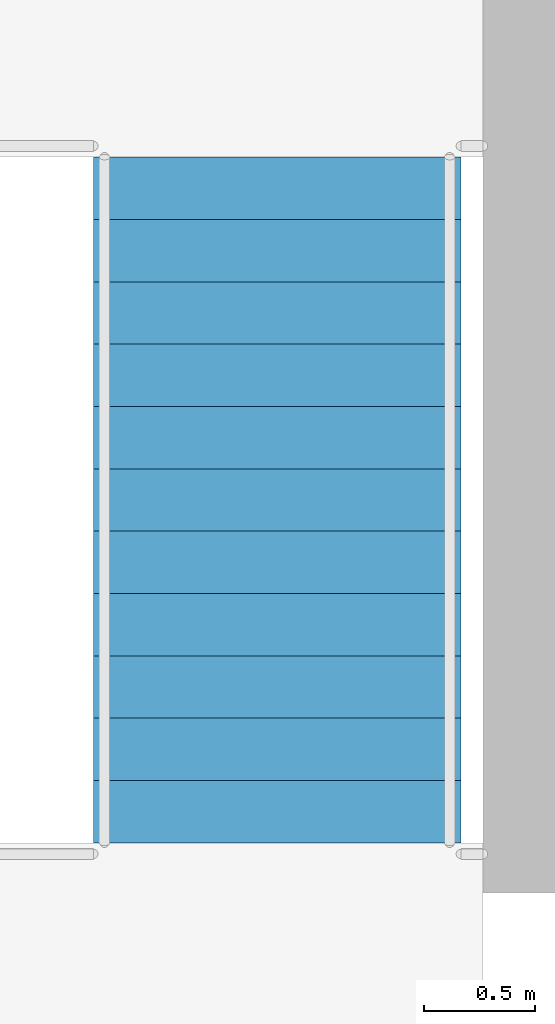
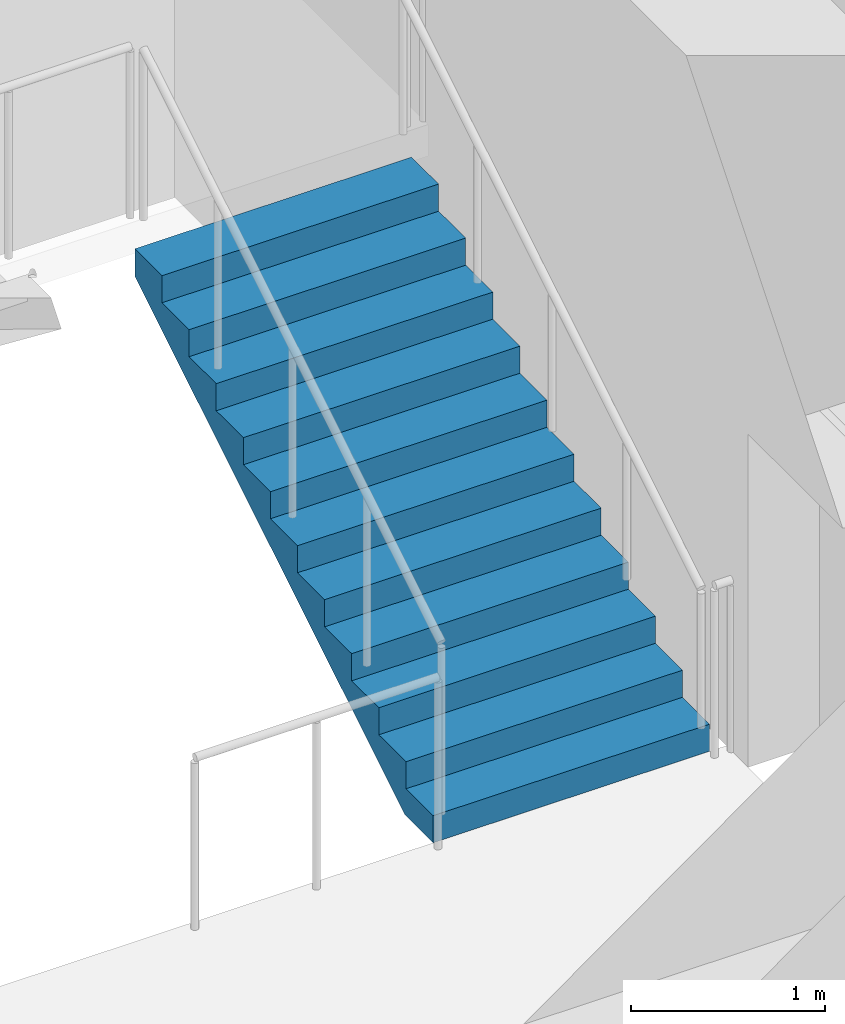
# One storey, part 9 of 19: 1 stair flight, 1 element without a shape of its own.
"""IFC4 building model written with IfcOpenShell, lengths in metres."""

import ifcopenshell
import ifcopenshell.guid

model = None  # the IFC model being written
_history = None  # IfcOwnerHistory: only IFC2X3 demands one
_inside = {}  # id of a spatial element -> (the spatial element, [elements in it])
_under = {}  # id of a project, library or spatial element -> (it, [spatial elements below it])
_declared = {}  # id of a project -> (the project, [libraries it declares])
_typed = {}  # id of a type object -> (the type object, [elements of that type])
_made_of = {}  # id of a material, layer set ... -> (it, [elements and type objects made of it])


def new_model(schema):
    """Start an empty IFC model of exactly this schema.

    Asked for "IFC4X3", IfcOpenShell would pick the latest addendum, in which some entities
    have other attributes; the version numbers below select the first issue.
    IFC2X3 requires an IfcOwnerHistory on every rooted entity: one is made here for all.
    """
    global model, _history
    if schema == "IFC4X3":
        model = ifcopenshell.file(schema_version=(4, 3, 0, 0))
    else:
        model = ifcopenshell.file(schema=schema)
    _inside.clear()
    _under.clear()
    _declared.clear()
    _typed.clear()
    _made_of.clear()
    _history = None
    if model.schema == "IFC2X3":
        org = make("IfcOrganization", Name="unknown")
        user = make(
            "IfcPersonAndOrganization",
            ThePerson=make("IfcPerson", FamilyName="unknown"),
            TheOrganization=org,
        )
        app = make(
            "IfcApplication",
            ApplicationDeveloper=org,
            Version="unknown",
            ApplicationFullName="unknown",
            ApplicationIdentifier="unknown",
        )
        _history = make(
            "IfcOwnerHistory",
            OwningUser=user,
            OwningApplication=app,
            ChangeAction="ADDED",
            CreationDate=0,
        )
    return model


def make(cls, **values):
    """One entity of the class cls with the attributes given. An attribute that is None is left unset."""
    return model.create_entity(
        cls, **{name: value for name, value in values.items() if value is not None}
    )


def rooted(cls, **values):
    """An entity with a GlobalId (a new one), such as an element, a storey or a relation."""
    return make(cls, GlobalId=ifcopenshell.guid.new(), OwnerHistory=_history, **values)


def si_unit(unit_type, name, prefix=None):
    """IfcSIUnit, for example si_unit("LENGTHUNIT", "METRE", prefix="MILLI")."""
    return make("IfcSIUnit", UnitType=unit_type, Prefix=prefix, Name=name)


def assignment(units):
    """IfcUnitAssignment: the units of a project."""
    return None if units is None else make("IfcUnitAssignment", Units=units)


def point(xyz):
    """IfcCartesianPoint."""
    return None if xyz is None else make("IfcCartesianPoint", Coordinates=xyz)


def direction(xyz):
    """IfcDirection."""
    return None if xyz is None else make("IfcDirection", DirectionRatios=xyz)


def frame(location, z_axis=None, x_axis=None):
    """IfcAxis2Placement3D, a coordinate frame: its origin and axes. An axis left out is left unset."""
    return make(
        "IfcAxis2Placement3D",
        Location=point(location),
        Axis=direction(z_axis),
        RefDirection=direction(x_axis),
    )


def origin():
    """The frame at (0, 0, 0) with its axes left unset."""
    return frame((0.0, 0.0, 0.0))


def place(relative_to, where):
    """IfcLocalPlacement: puts the frame where relative to a parent placement (None: the world)."""
    return make(
        "IfcLocalPlacement", PlacementRelTo=relative_to, RelativePlacement=where
    )


def context(
    kind, dimensions, precision=None, world=None, true_north=None, identifier=None
):
    """IfcGeometricRepresentationContext, for example the 3D "Model" context."""
    return make(
        "IfcGeometricRepresentationContext",
        ContextIdentifier=identifier,
        ContextType=kind,
        CoordinateSpaceDimension=dimensions,
        Precision=precision,
        WorldCoordinateSystem=world,
        TrueNorth=true_north,
    )


def subcontext(parent, identifier, kind, view, scale=None):
    """IfcGeometricRepresentationSubContext, for example "Body" below "Model"."""
    return make(
        "IfcGeometricRepresentationSubContext",
        ContextIdentifier=identifier,
        ContextType=kind,
        ParentContext=parent,
        TargetScale=scale,
        TargetView=view,
    )


def project(units=None, contexts=None):
    """IfcProject with its units and contexts."""
    return rooted(
        "IfcProject",
        Name="project",
        RepresentationContexts=contexts,
        UnitsInContext=assignment(units),
    )


def spatial(cls, under=None, at=None, **own):
    """A site, building, storey or space (cls), placed at a placement, below another one or the project."""
    s = rooted(cls, ObjectPlacement=at, **own)
    if under is not None:
        _under.setdefault(under.id(), (under, []))[1].append(s)
    return s


def polyline(points):
    """IfcPolyline through the points."""
    return make("IfcPolyline", Points=[point(p) for p in points])


def outline(outer, holes=None, kind="AREA"):
    """IfcArbitraryClosedProfileDef: a profile drawn as a closed curve; with holes, ...WithVoids."""
    if holes is None:
        return make("IfcArbitraryClosedProfileDef", ProfileType=kind, OuterCurve=outer)
    return make(
        "IfcArbitraryProfileDefWithVoids",
        ProfileType=kind,
        OuterCurve=outer,
        InnerCurves=holes,
    )


def extrude(swept, where, along, depth):
    """IfcExtrudedAreaSolid: the profile swept, set in the frame where, extruded along a direction by depth."""
    return make(
        "IfcExtrudedAreaSolid",
        SweptArea=swept,
        Position=where,
        ExtrudedDirection=direction(along),
        Depth=depth,
    )


def shape(context_of_items, identifier, shape_type, items):
    """IfcShapeRepresentation: the items that make up one representation, for example the "Body"."""
    return make(
        "IfcShapeRepresentation",
        ContextOfItems=context_of_items,
        RepresentationIdentifier=identifier,
        RepresentationType=shape_type,
        Items=items,
    )


def material(Name=None, Category=None):
    """IfcMaterial."""
    return make("IfcMaterial", Name=Name, Category=Category)


def made_of(thing, what):
    """Note that an element or type object is made of a material, layer set ...; save() writes the relation."""
    if what is not None:
        _made_of.setdefault(what.id(), (what, []))[1].append(thing)
    return thing


def type_object(cls, material=None, **own):
    """A type object (cls), such as IfcWallType, which elements share."""
    return made_of(rooted(cls, **own), material)


def element(
    cls,
    number,
    at=None,
    inside=None,
    cuts=None,
    type_object=None,
    material=None,
    context=None,
    identifier="Body",
    shape_type=None,
    held_by="IfcProductDefinitionShape",
    body=None,
    shapes=None,
    **own,
):
    """One element of the class cls, such as IfcWall. Its Tag is "e" and its number.

    at: its placement. inside: the storey or other place that contains it. cuts: it is an
    opening in that element (IfcRelVoidsElement). A single representation is given by context,
    identifier, shape_type and body (its items); several are given by shapes. held_by: the class
    of the entity that holds the representations. save() writes the other relations.
    """
    e = rooted(cls, Tag="e%d" % number, ObjectPlacement=at, **own)
    if body is not None:
        shapes = [shape(context, identifier, shape_type, body)]
    if shapes is not None:
        e.Representation = make(held_by, Representations=shapes)
    if inside is not None:
        _inside.setdefault(inside.id(), (inside, []))[1].append(e)
    if cuts is not None:
        rooted(
            "IfcRelVoidsElement", RelatingBuildingElement=cuts, RelatedOpeningElement=e
        )
    if type_object is not None:
        _typed.setdefault(type_object.id(), (type_object, []))[1].append(e)
    return made_of(e, material)


def aggregate(whole, parts):
    """IfcRelAggregates: a whole, such as a stair, and the parts it consists of."""
    return rooted("IfcRelAggregates", RelatingObject=whole, RelatedObjects=parts)


def save(model, path):
    """Write the relations noted so far, then the file.

    IfcRelAggregates (storeys below a building ...), IfcRelContainedInSpatialStructure (elements
    in a storey), IfcRelDefinesByType, IfcRelAssociatesMaterial and IfcRelDeclares: one each for
    every whole, place, type object, material and project.
    """
    for whole, parts in _under.values():
        aggregate(whole, parts)
    for where, things in _inside.values():
        rooted(
            "IfcRelContainedInSpatialStructure",
            RelatedElements=things,
            RelatingStructure=where,
        )
    for kind, things in _typed.values():
        rooted("IfcRelDefinesByType", RelatedObjects=things, RelatingType=kind)
    for what, things in _made_of.values():
        rooted("IfcRelAssociatesMaterial", RelatedObjects=things, RelatingMaterial=what)
    for by, libraries in _declared.values():
        rooted("IfcRelDeclares", RelatingContext=by, RelatedDefinitions=libraries)
    model.write(path)


model = new_model("IFC4")

# Units and contexts
model_context = context("Model", 3, precision=1e-05, world=origin(), true_north=direction((0.0, 1.0)))
body_context = subcontext(model_context, "Body", "Model", "MODEL_VIEW")
ifc_project = project(units=[si_unit("LENGTHUNIT", "METRE"), si_unit("AREAUNIT", "SQUARE_METRE"), si_unit("VOLUMEUNIT", "CUBIC_METRE"), si_unit("PLANEANGLEUNIT", "RADIAN"), si_unit("MASSUNIT", "GRAM", prefix="KILO")], contexts=[model_context])

# Site, building, storey
site_placement = place(None, origin())
site = spatial("IfcSite", under=ifc_project, at=site_placement, CompositionType="ELEMENT")
building_placement = place(site_placement, origin())
building = spatial("IfcBuilding", under=site, at=building_placement, Name="Corbel Stack Research Tower", CompositionType="ELEMENT")
storey_placement = place(building_placement, frame((0.0, 0.0, 82.0)))
storey = spatial("IfcBuildingStorey", under=building, at=storey_placement, Name="L18", CompositionType="ELEMENT", Elevation=82.0)

# Stair, stair flight
ifc_material_1 = material(Name="Concrete C40/50", Category="concrete")
stair_type = type_object("IfcStairType", Name="Exit stair 24 risers", PredefinedType="HALF_TURN_STAIR", material=ifc_material_1)
stair_placement = place(storey_placement, origin())
stair = element("IfcStair", 1, at=stair_placement, inside=storey, type_object=stair_type, Name="L18 Exit stair ST-E2", PredefinedType="HALF_TURN_STAIR")
ifc_material_2 = material(Name="Concrete C40/50", Category="concrete")
stair_flight_type = type_object("IfcStairFlightType", Name="Stair flight 12 risers", PredefinedType="STRAIGHT", material=ifc_material_2)
stair_flight_placement = place(storey_placement, frame((16.175048828125, 11.89990234375, 0.0), z_axis=(0.0, 0.0, 1.0), x_axis=(0.0, 1.0, 0.0)))
stair_flight = element("IfcStairFlight", 2, at=stair_flight_placement, type_object=stair_flight_type, Name="ST-E2 flight 1", NumberOfRisers=12, NumberOfTreads=11, PredefinedType="STRAIGHT", RiserHeight=0.170833333, TreadLength=0.28, context=body_context, shape_type="SweptSolid", body=[
    extrude(outline(polyline([(0.0, 0.0), (0.0, 0.1708984375), (0.280029296875, 0.1708984375), (0.280029296875, 0.341552734375), (0.56005859375, 0.341552734375), (0.56005859375, 0.512451171875), (0.840087890625, 0.512451171875), (0.840087890625, 0.683349609375), (1.1201171875, 0.683349609375), (1.1201171875, 0.854248046875), (1.39990234375, 0.854248046875), (1.39990234375, 1.02490234375), (1.679931640625, 1.02490234375), (1.679931640625, 1.19580078125), (1.9599609375, 1.19580078125), (1.9599609375, 1.36669921875), (2.239990234375, 1.36669921875), (2.239990234375, 1.53759765625), (2.52001953125, 1.53759765625), (2.52001953125, 1.708251953125), (2.800048828125, 1.708251953125), (2.800048828125, 1.879150390625), (3.080078125, 1.879150390625), (3.080078125, 2.050048828125), (3.080078125, 1.70361328125), (0.287841796875, 0.0), (0.0, 0.0)])), frame((0.0, 0.824951171875, 0.0), z_axis=(0.0, -1.0, 0.0), x_axis=(1.0, 0.0, 0.0)), (0.0, 0.0, 1.0), 1.64990234375),
])
aggregate(stair, [stair_flight])

save(model, "model.ifc")
